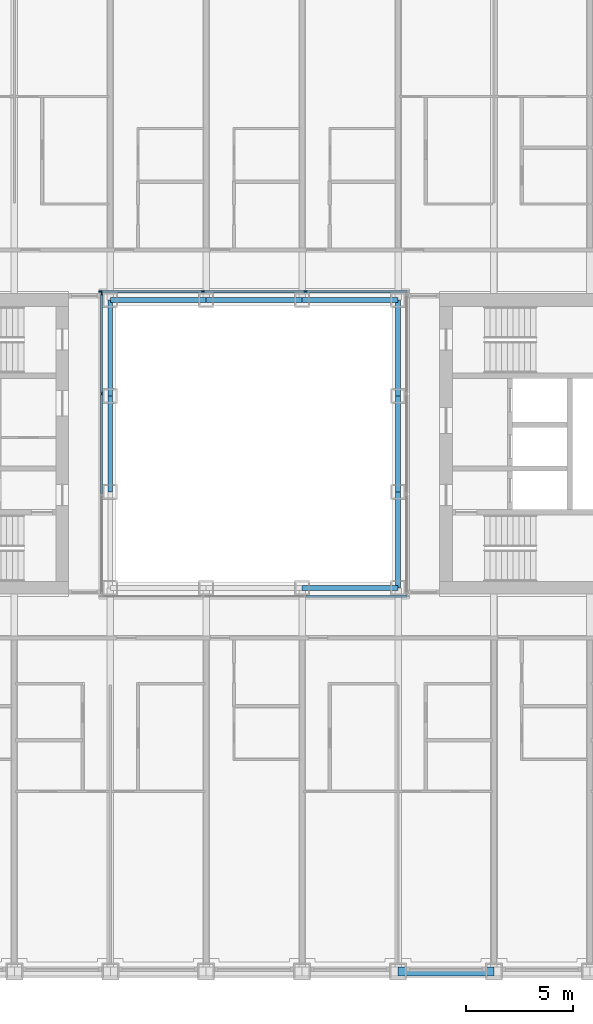
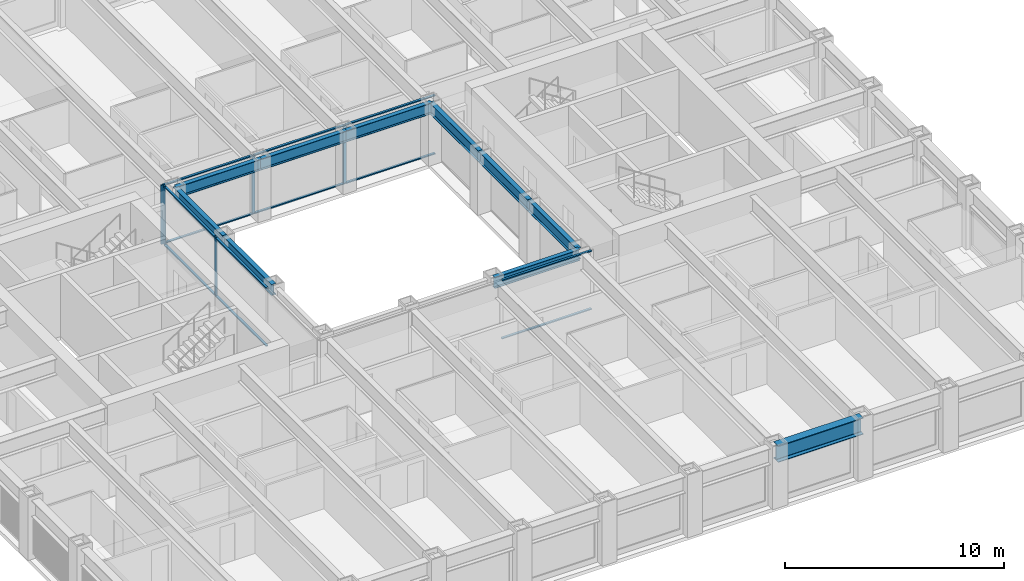
# One storey, part 4 of 21: 17 members, 10 beams, 3 elements without a shape of their own.
"""IFC4 building model written with IfcOpenShell, lengths in metres."""

from ifc_helpers import new_model, si_unit, direction, frame, origin, origin_2d, place, context, subcontext, project, spatial, rectangle, i_section, extrude, material, material_profile, profile_set, type_object, element, aggregate, save


model = new_model("IFC4")

# Units and contexts
model_context = context("Model", 3, precision=1e-05, world=origin(), true_north=direction((0.0, 1.0)))
body_context = subcontext(model_context, "Body", "Model", "MODEL_VIEW")
ifc_project = project(units=[si_unit("LENGTHUNIT", "METRE"), si_unit("AREAUNIT", "SQUARE_METRE"), si_unit("VOLUMEUNIT", "CUBIC_METRE"), si_unit("PLANEANGLEUNIT", "RADIAN"), si_unit("MASSUNIT", "GRAM", prefix="KILO")], contexts=[model_context])

# Site, building, storey
site_placement = place(None, origin())
site = spatial("IfcSite", under=ifc_project, at=site_placement, CompositionType="ELEMENT")
building_placement = place(site_placement, origin())
building = spatial("IfcBuilding", under=site, at=building_placement, Name="Msasa Ring Tower", CompositionType="ELEMENT")
storey_placement = place(building_placement, frame((0.0, 0.0, 44.0)))
storey = spatial("IfcBuildingStorey", under=building, at=storey_placement, Name="L10", CompositionType="ELEMENT", Elevation=44.0)

# Curtain wall, members
ifc_material_1 = material(Name="Aluminium curtain wall with clear glass", Category="aluminium")
curtain_wall_type = type_object("IfcCurtainWallType", Name="CW-W LIGHT WELL CURTAIN WALL", PredefinedType="NOTDEFINED", material=ifc_material_1)
curtain_wall_1_placement = place(storey_placement, origin())
curtain_wall_1 = element("IfcCurtainWall", 1, at=curtain_wall_1_placement, inside=storey, type_object=curtain_wall_type, Name="Light well curtain wall N L10", PredefinedType="NOTDEFINED")
ifc_material_2 = material(Name="Aluminium mullion", Category="aluminium")
ifc_material_profile_1 = material_profile(ifc_material_2, rectangle(XDim=0.06005859375, YDim=0.159912109375, at=origin_2d()), Name="AL 60x160")
ifc_profile_set_1 = profile_set([ifc_material_profile_1], Name="Aluminium mullion")
member_type_1 = type_object("IfcMemberType", Name="CW-W MULLION 60x160", PredefinedType="MULLION", material=ifc_profile_set_1)
member_1_placement = place(storey_placement, frame((-7.199951171875, 7.14990234375, 0.0), z_axis=(0.0, 0.0, 1.0), x_axis=(0.0, 1.0, 0.0)))
member_1 = element("IfcMember", 2, at=member_1_placement, type_object=member_type_1, Name="CW-W mullion 1", PredefinedType="MULLION", context=body_context, shape_type="SweptSolid", body=[
    extrude(rectangle(XDim=0.06005859375, YDim=0.159912109375, at=origin_2d()), origin(), (0.0, 0.0, 1.0), 3.300048828125),
])
member_2_placement = place(storey_placement, frame((-2.409912109375, 7.14990234375, 0.0), z_axis=(0.0, 0.0, 1.0), x_axis=(0.0, 1.0, 0.0)))
member_2 = element("IfcMember", 3, at=member_2_placement, type_object=member_type_1, Name="CW-W mullion 2", PredefinedType="MULLION", context=body_context, shape_type="SweptSolid", body=[
    extrude(rectangle(XDim=0.06005859375, YDim=0.159912109375, at=origin_2d()), origin(), (0.0, 0.0, 1.0), 3.300048828125),
])
member_3_placement = place(storey_placement, frame((2.409912109375, 7.14990234375, 0.0), z_axis=(0.0, 0.0, 1.0), x_axis=(0.0, 1.0, 0.0)))
member_3 = element("IfcMember", 4, at=member_3_placement, type_object=member_type_1, Name="CW-W mullion 3", PredefinedType="MULLION", context=body_context, shape_type="SweptSolid", body=[
    extrude(rectangle(XDim=0.06005859375, YDim=0.159912109375, at=origin_2d()), origin(), (0.0, 0.0, 1.0), 3.300048828125),
])

curtain_wall_2_placement = place(storey_placement, origin())
curtain_wall_2 = element("IfcCurtainWall", 5, at=curtain_wall_2_placement, inside=storey, type_object=curtain_wall_type, Name="Light well curtain wall W L10", PredefinedType="NOTDEFINED")
member_4_placement = place(storey_placement, frame((-7.14990234375, 2.356689453125, 0.0), z_axis=(0.0, 0.0, 1.0), x_axis=(-1.0, 0.0, 0.0)))
member_4 = element("IfcMember", 6, at=member_4_placement, type_object=member_type_1, Name="CW-W mullion 3", PredefinedType="MULLION", context=body_context, shape_type="SweptSolid", body=[
    extrude(rectangle(XDim=0.06005859375, YDim=0.159912109375, at=origin_2d()), origin(), (0.0, 0.0, 1.0), 3.300048828125),
])
member_5_placement = place(storey_placement, frame((-7.14990234375, 7.0400390625, 0.0), z_axis=(0.0, 0.0, 1.0), x_axis=(-1.0, 0.0, 0.0)))
member_5 = element("IfcMember", 7, at=member_5_placement, type_object=member_type_1, Name="CW-W mullion 4", PredefinedType="MULLION", context=body_context, shape_type="SweptSolid", body=[
    extrude(rectangle(XDim=0.06005859375, YDim=0.159912109375, at=origin_2d()), origin(), (0.0, 0.0, 1.0), 3.300048828125),
])

# Member
ifc_material_3 = material(Name="Aluminium transom", Category="aluminium")
ifc_material_profile_2 = material_profile(ifc_material_3, rectangle(XDim=0.1201171875, YDim=0.06005859375, at=origin_2d()), Name="AL 60x120")
ifc_profile_set_2 = profile_set([ifc_material_profile_2], Name="Aluminium transom")
member_type_2 = type_object("IfcMemberType", Name="CW-W TRANSOM 60x120", PredefinedType="USERDEFINED", material=ifc_profile_set_2)
member_6_placement = place(storey_placement, frame((-7.169921875, 7.14990234375, 0.030029296875), z_axis=(1.0, 0.0, 0.0), x_axis=(0.0, 1.0, 0.0)))
member_6 = element("IfcMember", 8, at=member_6_placement, type_object=member_type_2, Name="CW-W transom 1.1", ObjectType="TRANSOM", PredefinedType="USERDEFINED", context=body_context, shape_type="SweptSolid", body=[
    extrude(rectangle(XDim=0.1201171875, YDim=0.06005859375, at=origin_2d()), origin(), (0.0, 0.0, 1.0), 4.72998046875),
])

member_7_placement = place(storey_placement, frame((-7.169921875, 7.14990234375, 3.27001953125), z_axis=(1.0, 0.0, 0.0), x_axis=(0.0, 1.0, 0.0)))
member_7 = element("IfcMember", 9, at=member_7_placement, type_object=member_type_2, Name="CW-W transom 1.2", ObjectType="TRANSOM", PredefinedType="USERDEFINED", context=body_context, shape_type="SweptSolid", body=[
    extrude(rectangle(XDim=0.1201171875, YDim=0.06005859375, at=origin_2d()), origin(), (0.0, 0.0, 1.0), 4.72998046875),
])

member_8_placement = place(storey_placement, frame((-2.3798828125, 7.14990234375, 0.030029296875), z_axis=(1.0, 0.0, 0.0), x_axis=(0.0, 1.0, 0.0)))
member_8 = element("IfcMember", 10, at=member_8_placement, type_object=member_type_2, Name="CW-W transom 2.1", ObjectType="TRANSOM", PredefinedType="USERDEFINED", context=body_context, shape_type="SweptSolid", body=[
    extrude(rectangle(XDim=0.1201171875, YDim=0.06005859375, at=origin_2d()), origin(), (0.0, 0.0, 1.0), 4.759765625),
])

member_9_placement = place(storey_placement, frame((-2.3798828125, 7.14990234375, 3.27001953125), z_axis=(1.0, 0.0, 0.0), x_axis=(0.0, 1.0, 0.0)))
member_9 = element("IfcMember", 11, at=member_9_placement, type_object=member_type_2, Name="CW-W transom 2.2", ObjectType="TRANSOM", PredefinedType="USERDEFINED", context=body_context, shape_type="SweptSolid", body=[
    extrude(rectangle(XDim=0.1201171875, YDim=0.06005859375, at=origin_2d()), origin(), (0.0, 0.0, 1.0), 4.759765625),
])

member_10_placement = place(storey_placement, frame((2.43994140625, 7.14990234375, 0.030029296875), z_axis=(1.0, 0.0, 0.0), x_axis=(0.0, 1.0, 0.0)))
member_10 = element("IfcMember", 12, at=member_10_placement, type_object=member_type_2, Name="CW-W transom 3.1", ObjectType="TRANSOM", PredefinedType="USERDEFINED", context=body_context, shape_type="SweptSolid", body=[
    extrude(rectangle(XDim=0.1201171875, YDim=0.06005859375, at=origin_2d()), origin(), (0.0, 0.0, 1.0), 4.72998046875),
])

member_11_placement = place(storey_placement, frame((2.43994140625, 7.14990234375, 3.27001953125), z_axis=(1.0, 0.0, 0.0), x_axis=(0.0, 1.0, 0.0)))
member_11 = element("IfcMember", 13, at=member_11_placement, type_object=member_type_2, Name="CW-W transom 3.2", ObjectType="TRANSOM", PredefinedType="USERDEFINED", context=body_context, shape_type="SweptSolid", body=[
    extrude(rectangle(XDim=0.1201171875, YDim=0.06005859375, at=origin_2d()), origin(), (0.0, 0.0, 1.0), 4.72998046875),
])

aggregate(curtain_wall_1, [member_1, member_2, member_3, member_6, member_7, member_8, member_9, member_10, member_11])

# Curtain wall, members
curtain_wall_3_placement = place(storey_placement, origin())
curtain_wall_3 = element("IfcCurtainWall", 14, at=curtain_wall_3_placement, inside=storey, type_object=curtain_wall_type, Name="Light well curtain wall S L10", PredefinedType="NOTDEFINED")
member_12_placement = place(storey_placement, frame((2.43994140625, -7.14990234375, 0.030029296875), z_axis=(1.0, 0.0, 0.0), x_axis=(0.0, 1.0, 0.0)))
member_12 = element("IfcMember", 15, at=member_12_placement, type_object=member_type_2, Name="CW-W transom 3.1", ObjectType="TRANSOM", PredefinedType="USERDEFINED", context=body_context, shape_type="SweptSolid", body=[
    extrude(rectangle(XDim=0.1201171875, YDim=0.06005859375, at=origin_2d()), origin(), (0.0, 0.0, 1.0), 4.72998046875),
])
member_13_placement = place(storey_placement, frame((2.43994140625, -7.14990234375, 3.27001953125), z_axis=(1.0, 0.0, 0.0), x_axis=(0.0, 1.0, 0.0)))
member_13 = element("IfcMember", 16, at=member_13_placement, type_object=member_type_2, Name="CW-W transom 3.2", ObjectType="TRANSOM", PredefinedType="USERDEFINED", context=body_context, shape_type="SweptSolid", body=[
    extrude(rectangle(XDim=0.1201171875, YDim=0.06005859375, at=origin_2d()), origin(), (0.0, 0.0, 1.0), 4.72998046875),
])
aggregate(curtain_wall_3, [member_12, member_13])

# Member
member_14_placement = place(storey_placement, frame((-7.14990234375, -2.32666015625, 0.030029296875), z_axis=(0.0, 1.0, 0.0), x_axis=(-1.0, 0.0, 0.0)))
member_14 = element("IfcMember", 17, at=member_14_placement, type_object=member_type_2, Name="CW-W transom 2.1", ObjectType="TRANSOM", PredefinedType="USERDEFINED", context=body_context, shape_type="SweptSolid", body=[
    extrude(rectangle(XDim=0.1201171875, YDim=0.06005859375, at=origin_2d()), origin(), (0.0, 0.0, 1.0), 4.6533203125),
])

member_15_placement = place(storey_placement, frame((-7.14990234375, -2.32666015625, 3.27001953125), z_axis=(0.0, 1.0, 0.0), x_axis=(-1.0, 0.0, 0.0)))
member_15 = element("IfcMember", 18, at=member_15_placement, type_object=member_type_2, Name="CW-W transom 2.2", ObjectType="TRANSOM", PredefinedType="USERDEFINED", context=body_context, shape_type="SweptSolid", body=[
    extrude(rectangle(XDim=0.1201171875, YDim=0.06005859375, at=origin_2d()), origin(), (0.0, 0.0, 1.0), 4.6533203125),
])

member_16_placement = place(storey_placement, frame((-7.14990234375, 2.38671875, 0.030029296875), z_axis=(0.0, 1.0, 0.0), x_axis=(-1.0, 0.0, 0.0)))
member_16 = element("IfcMember", 19, at=member_16_placement, type_object=member_type_2, Name="CW-W transom 3.1", ObjectType="TRANSOM", PredefinedType="USERDEFINED", context=body_context, shape_type="SweptSolid", body=[
    extrude(rectangle(XDim=0.1201171875, YDim=0.06005859375, at=origin_2d()), origin(), (0.0, 0.0, 1.0), 4.623291015625),
])

member_17_placement = place(storey_placement, frame((-7.14990234375, 2.38671875, 3.27001953125), z_axis=(0.0, 1.0, 0.0), x_axis=(-1.0, 0.0, 0.0)))
member_17 = element("IfcMember", 20, at=member_17_placement, type_object=member_type_2, Name="CW-W transom 3.2", ObjectType="TRANSOM", PredefinedType="USERDEFINED", context=body_context, shape_type="SweptSolid", body=[
    extrude(rectangle(XDim=0.1201171875, YDim=0.06005859375, at=origin_2d()), origin(), (0.0, 0.0, 1.0), 4.623291015625),
])

aggregate(curtain_wall_2, [member_4, member_5, member_14, member_15, member_16, member_17])

# Beams
ifc_material_4 = material(Name="Steel S355", Category="steel")
ifc_material_profile_3 = material_profile(ifc_material_4, i_section(OverallWidth=0.230224609375, OverallDepth=0.6171875, WebThickness=0.01318359375, FlangeThickness=0.022216796875, FilletRadius=0.0126953125, at=origin_2d()), Name="UB 610x229x140")
ifc_profile_set_3 = profile_set([ifc_material_profile_3], Name="Steel S355")
beam_type_1 = type_object("IfcBeamType", Name="RB1 UB 610x229x140", PredefinedType="BEAM", material=ifc_profile_set_3)
for number, where, z_axis, x_axis, name in (
    (21, (2.25, -6.75, 2.991455078125), (1.0, 0.0, 0.0), (0.0, 1.0, 0.0), "Inner ring beam IR+2.25-6.75 under L11"),
    (22, (6.75, -6.75, 2.991455078125), (0.0, 1.0, 0.0), (-1.0, 0.0, 0.0), "Inner ring beam IR+6.75-6.75 under L11"),
    (23, (6.75, -2.25, 2.991455078125), (0.0, 1.0, 0.0), (-1.0, 0.0, 0.0), "Inner ring beam IR+6.75-2.25 under L11"),
    (24, (6.75, 2.25, 2.991455078125), (0.0, 1.0, 0.0), (-1.0, 0.0, 0.0), "Inner ring beam IR+6.75+2.25 under L11"),
    (25, (6.75, 6.75, 2.991455078125), (-1.0, 0.0, 0.0), (0.0, -1.0, 0.0), "Inner ring beam IR+6.75+6.75 under L11"),
    (26, (2.25, 6.75, 2.991455078125), (-1.0, 0.0, 0.0), (0.0, -1.0, 0.0), "Inner ring beam IR+2.25+6.75 under L11"),
    (27, (-2.25, 6.75, 2.991455078125), (-1.0, 0.0, 0.0), (0.0, -1.0, 0.0), "Inner ring beam IR-2.25+6.75 under L11"),
    (28, (-6.75, 6.75, 2.991455078125), (0.0, -1.0, 0.0), (1.0, 0.0, 0.0), "Inner ring beam IR-6.75+6.75 under L11"),
    (29, (-6.75, 2.25, 2.991455078125), (0.0, -1.0, 0.0), (1.0, 0.0, 0.0), "Inner ring beam IR-6.75+2.25 under L11"),
):
    element("IfcBeam", number, at=place(storey_placement, frame(where, z_axis=z_axis, x_axis=x_axis)), inside=storey, type_object=beam_type_1, Name=name, PredefinedType="BEAM", context=body_context, shape_type="SweptSolid", body=[
        extrude(i_section(OverallWidth=0.230224609375, OverallDepth=0.6171875, WebThickness=0.01318359375, FlangeThickness=0.022216796875, FilletRadius=0.0126953125, at=origin_2d()), origin(), (0.0, 0.0, 1.0), 4.5),
    ])
ifc_material_5 = material(Name="Steel S355", Category="steel")
ifc_material_profile_4 = material_profile(ifc_material_5, i_section(OverallWidth=0.42041015625, OverallDepth=0.9208984375, WebThickness=0.021484375, FlangeThickness=0.03662109375, FilletRadius=0.024169921875, at=origin_2d()), Name="UB 914x419x388")
ifc_profile_set_4 = profile_set([ifc_material_profile_4], Name="Steel S355")
beam_type_2 = type_object("IfcBeamType", Name="SB1 UB 914x419x388", PredefinedType="SPANDREL", material=ifc_profile_set_4)
beam_placement = place(storey_placement, frame((6.75, -24.75, 2.839599609375), z_axis=(1.0, 0.0, 0.0), x_axis=(0.0, 1.0, 0.0)))
element("IfcBeam", 30, at=beam_placement, inside=storey, type_object=beam_type_2, Name="Spandrel S+6.75 to S+11.25 under L11", PredefinedType="SPANDREL", context=body_context, shape_type="SweptSolid", body=[
    extrude(i_section(OverallWidth=0.42041015625, OverallDepth=0.9208984375, WebThickness=0.021484375, FlangeThickness=0.03662109375, FilletRadius=0.024169921875, at=origin_2d()), origin(), (0.0, 0.0, 1.0), 4.5),
])

save(model, "model.ifc")
